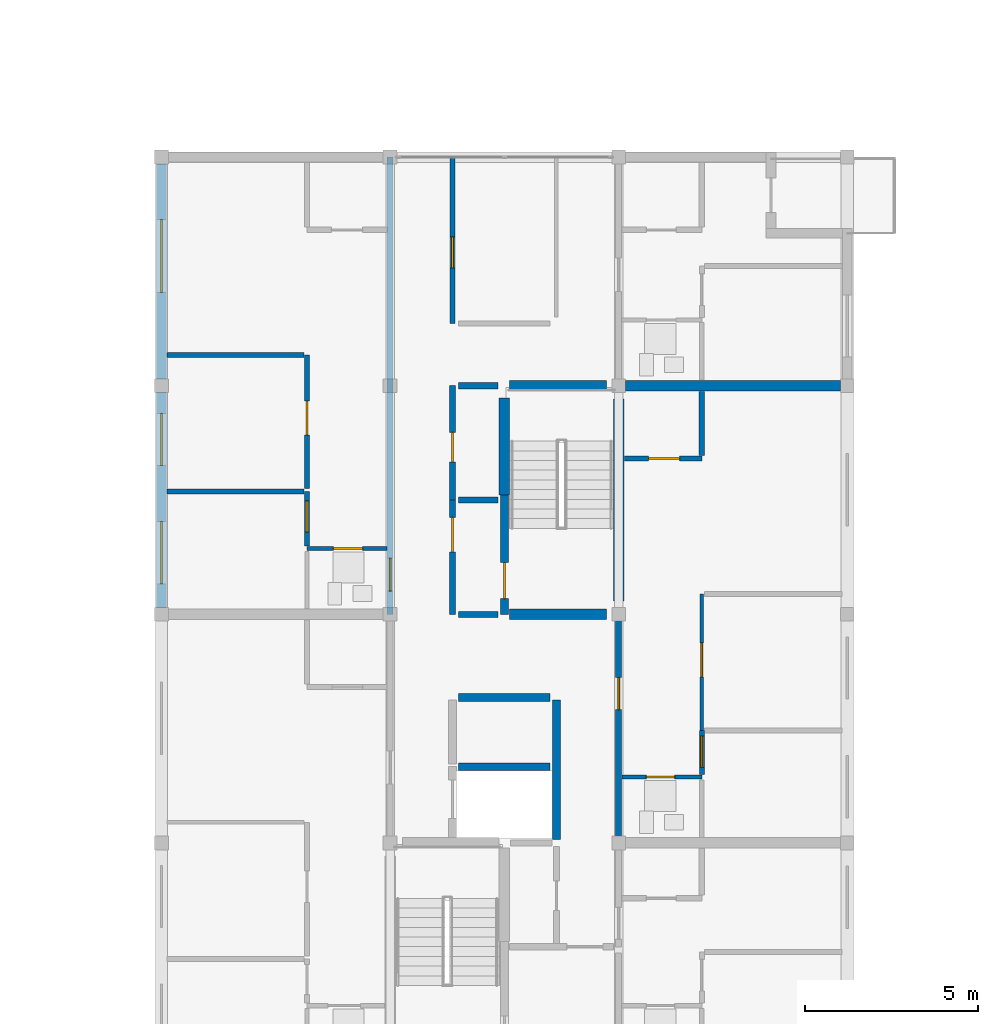
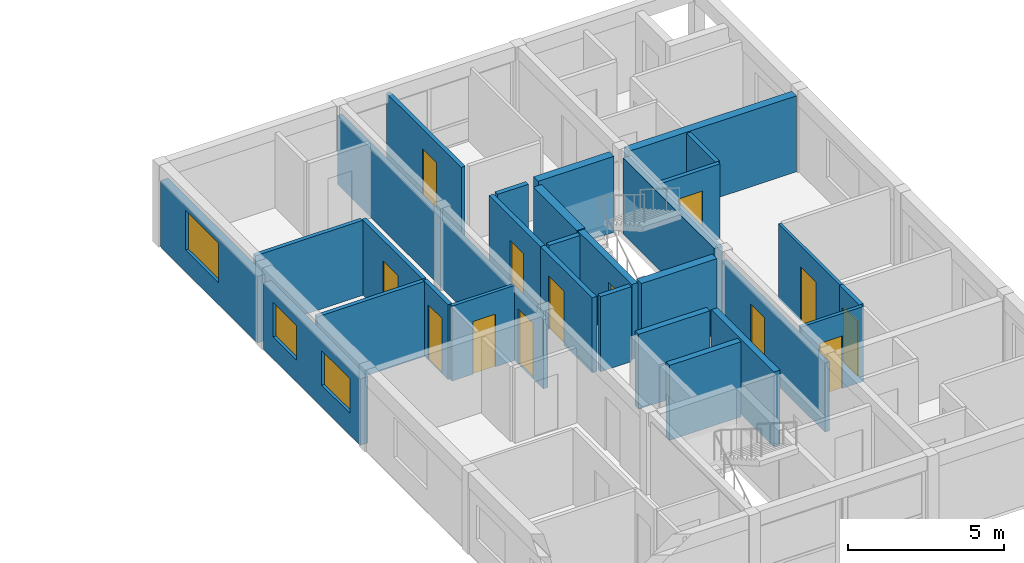
# One storey, part 18 of 34: 29 walls, 13 doors, 3 windows, 16 openings.
"""IFC4 building model written with IfcOpenShell, lengths in metres."""

from ifc_helpers import new_model, si_unit, direction, frame, frame_2d, origin, place, context, subcontext, project, spatial, rectangle, extrude, material, layer, layer_set, type_object, element, fill, save


model = new_model("IFC4")

# Units and contexts
model_context = context("Model", 3, precision=1e-05, world=origin(), true_north=direction((0.0, 1.0)))
body_context = subcontext(model_context, "Body", "Model", "MODEL_VIEW")
ifc_project = project(units=[si_unit("LENGTHUNIT", "METRE"), si_unit("AREAUNIT", "SQUARE_METRE"), si_unit("VOLUMEUNIT", "CUBIC_METRE"), si_unit("PLANEANGLEUNIT", "RADIAN"), si_unit("MASSUNIT", "GRAM", prefix="KILO")], contexts=[model_context])

# Site, building, storey
site_placement = place(None, origin())
site = spatial("IfcSite", under=ifc_project, at=site_placement, CompositionType="ELEMENT")
building_placement = place(site_placement, origin())
building = spatial("IfcBuilding", under=site, at=building_placement, Name="Kernevlak Ridge Housing Community", CompositionType="ELEMENT")
storey_placement = place(building_placement, frame((0.0, 0.0, 34.0)))
storey = spatial("IfcBuildingStorey", under=building, at=storey_placement, Name="L10", CompositionType="ELEMENT", Elevation=34.0)

# Wall, openings, windows
ifc_material_1 = material(Name="Concrete block masonry M10", Category="masonry")
ifc_layer_1 = layer(ifc_material_1, 0.280029296875, Name="Concrete block masonry M10")
ifc_layer_set_1 = layer_set([ifc_layer_1], Name="Concrete block masonry M10")
wall_type_1 = type_object("IfcWallType", Name="EW-03", PredefinedType="STANDARD", material=ifc_layer_set_1)
wall_1_placement = place(storey_placement, frame((126.0, 29.0, 0.0), z_axis=(0.0, 0.0, 1.0), x_axis=(0.0, 1.0, 0.0)))
wall_1 = element("IfcWall", 1, at=wall_1_placement, inside=storey, type_object=wall_type_1, Name="Exterior wall EW-03 L10 672", PredefinedType="STANDARD", context=body_context, shape_type="SweptSolid", body=[
    extrude(rectangle(XDim=6.199951171875, YDim=0.280029296875, at=frame_2d((3.10009765625, 0.0))), origin(), (0.0, 0.0, 1.0), 2.60009765625),
])
opening_1_placement = place(wall_1_placement, frame((0.675048828125, 0.0, 0.85009765625)))
opening_1 = element("IfcOpeningElement", 2, at=opening_1_placement, cuts=wall_1, Name="Opening WT-03", PredefinedType="OPENING", context=body_context, shape_type="SweptSolid", body=[
    extrude(rectangle(XDim=1.800048828125, YDim=1.35009765625, at=frame_2d((0.89990234375, 0.675048828125))), frame((0.0, 0.14990234375, 0.0), z_axis=(0.0, -1.0, 0.0), x_axis=(1.0, 0.0, 0.0)), (0.0, 0.0, 1.0), 0.300048828125),
])
opening_2_placement = place(wall_1_placement, frame((4.10009765625, 0.0, 0.85009765625)))
opening_2 = element("IfcOpeningElement", 3, at=opening_2_placement, cuts=wall_1, Name="Opening WT-02", PredefinedType="OPENING", context=body_context, shape_type="SweptSolid", body=[
    extrude(rectangle(XDim=1.5, YDim=1.35009765625, at=frame_2d((0.75, 0.675048828125))), frame((0.0, 0.14990234375, 0.0), z_axis=(0.0, -1.0, 0.0), x_axis=(1.0, 0.0, 0.0)), (0.0, 0.0, 1.0), 0.300048828125),
])
ifc_material_2 = material(Name="Aluminium EN AW-6060 anodised and laminated glass", Category="aluminium")
window_type_1 = type_object("IfcWindowType", Name="WT-02", PartitioningType="SINGLE_PANEL", PredefinedType="WINDOW", material=ifc_material_2)
window_1_placement = place(opening_2_placement, origin())
window_1 = element("IfcWindow", 4, at=window_1_placement, inside=storey, type_object=window_type_1, Name="Window WT-02 L10 548", OverallHeight=1.35009765625, OverallWidth=1.5, PartitioningType="SINGLE_PANEL", PredefinedType="WINDOW", context=body_context, shape_type="SweptSolid", body=[
    extrude(rectangle(XDim=1.5, YDim=1.35009765625, at=frame_2d((0.75, 0.675048828125))), frame((0.0, 0.030029296875, 0.0), z_axis=(0.0, -1.0, 0.0), x_axis=(1.0, 0.0, 0.0)), (0.0, 0.0, 1.0), 0.06005859375),
])
fill(opening_2, window_1)
window_type_2 = type_object("IfcWindowType", Name="WT-03", PartitioningType="SINGLE_PANEL", PredefinedType="WINDOW", material=ifc_material_2)
window_2_placement = place(opening_1_placement, origin())
window_2 = element("IfcWindow", 5, at=window_2_placement, inside=storey, type_object=window_type_2, Name="Window WT-03 L10 547", OverallHeight=1.35009765625, OverallWidth=1.800048828125, PartitioningType="SINGLE_PANEL", PredefinedType="WINDOW", context=body_context, shape_type="SweptSolid", body=[
    extrude(rectangle(XDim=1.800048828125, YDim=1.35009765625, at=frame_2d((0.89990234375, 0.675048828125))), frame((0.0, 0.030029296875, 0.0), z_axis=(0.0, -1.0, 0.0), x_axis=(1.0, 0.0, 0.0)), (0.0, 0.0, 1.0), 0.06005859375),
])
fill(opening_1, window_2)

# Wall, opening, window
wall_2_placement = place(storey_placement, frame((126.0, 35.60009765625, 0.0), z_axis=(0.0, 0.0, 1.0), x_axis=(0.0, 1.0, 0.0)))
wall_2 = element("IfcWall", 6, at=wall_2_placement, inside=storey, type_object=wall_type_1, Name="Exterior wall EW-03 L10 673", PredefinedType="STANDARD", context=body_context, shape_type="SweptSolid", body=[
    extrude(rectangle(XDim=6.199951171875, YDim=0.280029296875, at=frame_2d((3.10009765625, 0.0))), origin(), (0.0, 0.0, 1.0), 2.60009765625),
])
opening_3_placement = place(wall_2_placement, frame((2.49609375, 0.0, 0.85009765625)))
opening_3 = element("IfcOpeningElement", 7, at=opening_3_placement, cuts=wall_2, Name="Opening WT-05", PredefinedType="OPENING", context=body_context, shape_type="SweptSolid", body=[
    extrude(rectangle(XDim=2.10009765625, YDim=1.550048828125, at=frame_2d((1.050048828125, 0.77490234375))), frame((0.0, 0.14990234375, 0.0), z_axis=(0.0, -1.0, 0.0), x_axis=(1.0, 0.0, 0.0)), (0.0, 0.0, 1.0), 0.300048828125),
])
window_type_3 = type_object("IfcWindowType", Name="WT-05", PartitioningType="SINGLE_PANEL", PredefinedType="WINDOW", material=ifc_material_2)
window_3_placement = place(opening_3_placement, origin())
window_3 = element("IfcWindow", 8, at=window_3_placement, inside=storey, type_object=window_type_3, Name="Window WT-05 L10 549", OverallHeight=1.550048828125, OverallWidth=2.10009765625, PartitioningType="SINGLE_PANEL", PredefinedType="WINDOW", context=body_context, shape_type="SweptSolid", body=[
    extrude(rectangle(XDim=2.10009765625, YDim=1.550048828125, at=frame_2d((1.050048828125, 0.77490234375))), frame((0.0, 0.030029296875, 0.0), z_axis=(0.0, -1.0, 0.0), x_axis=(1.0, 0.0, 0.0)), (0.0, 0.0, 1.0), 0.06005859375),
])
fill(opening_3, window_3)

# Walls
ifc_material_3 = material(Name="Concrete C35/45", Category="concrete")
ifc_layer_2 = layer(ifc_material_3, 0.22509765625, Name="Concrete C35/45")
ifc_layer_set_2 = layer_set([ifc_layer_2], Name="Concrete C35/45")
wall_type_2 = type_object("IfcWallType", Name="PW-01", PredefinedType="STANDARD", material=ifc_layer_set_2)
wall_3_placement = place(storey_placement, frame((137.39990234375, 22.297607421875, 0.0), z_axis=(0.0, 0.0, 1.0), x_axis=(0.0, 1.0, 0.0)))
element("IfcWall", 9, at=wall_3_placement, inside=storey, type_object=wall_type_2, Name="Interior wall PW-01 WAL-INT-L10-2735", PredefinedType="STANDARD", context=body_context, shape_type="SweptSolid", body=[
    extrude(rectangle(XDim=4.0224609375, YDim=0.22509765625, at=frame_2d((2.01123046875, 0.0))), origin(), (0.0, 0.0, 1.0), 2.93505859375),
])
for number, where, z_axis, x_axis, name in (
    (10, (134.580078125, 24.39990234375, 0.0), (0.0, 0.0, 1.0), (1.0, 0.0, 0.0), "Interior wall PW-01 WAL-INT-L10-2737"),
    (11, (134.580078125, 26.39990234375, 0.0), (0.0, 0.0, 1.0), (1.0, 0.0, 0.0), "Interior wall PW-01 WAL-INT-L10-2738"),
):
    element("IfcWall", number, at=place(storey_placement, frame(where, z_axis=z_axis, x_axis=x_axis)), inside=storey, type_object=wall_type_2, Name=name, PredefinedType="STANDARD", context=body_context, shape_type="SweptSolid", body=[
        extrude(rectangle(XDim=2.639892578125, YDim=0.22509765625, at=frame_2d((1.31982421875, 0.0))), origin(), (0.0, 0.0, 1.0), 2.93505859375),
    ])

# Wall, opening, door
wall_4_placement = place(storey_placement, frame((135.89990234375, 28.800048828125, 0.0), z_axis=(0.0, 0.0, 1.0), x_axis=(0.0, 1.0, 0.0)))
wall_4 = element("IfcWall", 12, at=wall_4_placement, inside=storey, type_object=wall_type_2, Name="Interior wall PW-01 WAL-INT-L10-2739", PredefinedType="STANDARD", context=body_context, shape_type="SweptSolid", body=[
    extrude(rectangle(XDim=3.449951171875, YDim=0.22509765625, at=frame_2d((1.72509765625, 0.0))), origin(), (0.0, 0.0, 1.0), 2.93505859375),
])
opening_4_placement = place(wall_4_placement, frame((0.449951171875, 0.0, 0.0)))
opening_4 = element("IfcOpeningElement", 13, at=opening_4_placement, cuts=wall_4, Name="Opening E388", PredefinedType="OPENING", context=body_context, shape_type="SweptSolid", body=[
    extrude(rectangle(XDim=1.0400390625, YDim=2.1201171875, at=frame_2d((0.52001953125, 1.06005859375))), frame((0.0, 0.12255859375, 0.0), z_axis=(0.0, -1.0, 0.0), x_axis=(1.0, 0.0, 0.0)), (0.0, 0.0, 1.0), 0.2451171875),
])
ifc_material_4 = material(Name="Fire-rated sheet steel leaf", Category="steel")
door_type_1 = type_object("IfcDoorType", Name="DT-16", OperationType="NOTDEFINED", PredefinedType="DOOR", material=ifc_material_4)
door_1_placement = place(opening_4_placement, origin())
door_1 = element("IfcDoor", 14, at=door_1_placement, inside=storey, type_object=door_type_1, Name="Block C Stair 2 fire door E388", OperationType="SINGLE_SWING_LEFT", OverallHeight=2.1201171875, OverallWidth=1.0400390625, PredefinedType="DOOR", context=body_context, shape_type="SweptSolid", body=[
    extrude(rectangle(XDim=1.0400390625, YDim=2.1201171875, at=frame_2d((0.52001953125, 1.06005859375))), frame((0.0, 0.02490234375, 0.0), z_axis=(0.0, -1.0, 0.0), x_axis=(1.0, 0.0, 0.0)), (0.0, 0.0, 1.0), 0.050048828125),
])
fill(opening_4, door_1)

ifc_layer_3 = layer(ifc_material_1, 0.175048828125, Name="Concrete block masonry M10")
ifc_layer_set_3 = layer_set([ifc_layer_3], Name="Concrete block masonry M10")
wall_type_3 = type_object("IfcWallType", Name="PW-02", PredefinedType="PARTITIONING", material=ifc_layer_set_3)
wall_5_placement = place(storey_placement, frame((134.39990234375, 28.800048828125, 0.0), z_axis=(0.0, 0.0, 1.0), x_axis=(0.0, 1.0, 0.0)))
wall_5 = element("IfcWall", 15, at=wall_5_placement, inside=storey, type_object=wall_type_3, Name="Interior wall PW-02 WAL-INT-L10-2740", PredefinedType="PARTITIONING", context=body_context, shape_type="SweptSolid", body=[
    extrude(rectangle(XDim=3.300048828125, YDim=0.175048828125, at=frame_2d((1.64990234375, 0.0))), origin(), (0.0, 0.0, 1.0), 2.93505859375),
])
opening_5_placement = place(wall_5_placement, frame((1.800048828125, 0.0, 0.0)))
opening_5 = element("IfcOpeningElement", 16, at=opening_5_placement, cuts=wall_5, Name="Opening E389", PredefinedType="OPENING", context=body_context, shape_type="SweptSolid", body=[
    extrude(rectangle(XDim=1.0, YDim=2.10009765625, at=frame_2d((0.5, 1.050048828125))), frame((0.0, 0.097412109375, 0.0), z_axis=(0.0, -1.0, 0.0), x_axis=(1.0, 0.0, 0.0)), (0.0, 0.0, 1.0), 0.195068359375),
])
door_type_2 = type_object("IfcDoorType", Name="DT-05", OperationType="NOTDEFINED", PredefinedType="DOOR", material=ifc_material_4)
door_2_placement = place(opening_5_placement, origin())
door_2 = element("IfcDoor", 17, at=door_2_placement, inside=storey, type_object=door_type_2, Name="Block C Firefighting lobby 2 door E389", OperationType="SINGLE_SWING_RIGHT", OverallHeight=2.10009765625, OverallWidth=1.0, PredefinedType="DOOR", context=body_context, shape_type="SweptSolid", body=[
    extrude(rectangle(XDim=1.0, YDim=2.10009765625, at=frame_2d((0.5, 1.050048828125))), frame((0.0, 0.02490234375, 0.0), z_axis=(0.0, -1.0, 0.0), x_axis=(1.0, 0.0, 0.0)), (0.0, 0.0, 1.0), 0.050048828125),
])
fill(opening_5, door_2)

wall_6_placement = place(storey_placement, frame((134.39990234375, 32.10009765625, 0.0), z_axis=(0.0, 0.0, 1.0), x_axis=(0.0, 1.0, 0.0)))
wall_6 = element("IfcWall", 18, at=wall_6_placement, inside=storey, type_object=wall_type_3, Name="Interior wall PW-02 WAL-INT-L10-2741", PredefinedType="PARTITIONING", context=body_context, shape_type="SweptSolid", body=[
    extrude(rectangle(XDim=3.2998046875, YDim=0.175048828125, at=frame_2d((1.64990234375, 0.0))), origin(), (0.0, 0.0, 1.0), 2.93505859375),
])
opening_6_placement = place(wall_6_placement, frame((1.10009765625, 0.0, 0.0)))
opening_6 = element("IfcOpeningElement", 19, at=opening_6_placement, cuts=wall_6, Name="Opening E390", PredefinedType="OPENING", context=body_context, shape_type="SweptSolid", body=[
    extrude(rectangle(XDim=0.85009765625, YDim=2.0, at=frame_2d((0.425048828125, 1.0))), frame((0.0, 0.097412109375, 0.0), z_axis=(0.0, -1.0, 0.0), x_axis=(1.0, 0.0, 0.0)), (0.0, 0.0, 1.0), 0.195068359375),
])
door_type_3 = type_object("IfcDoorType", Name="DT-07", OperationType="NOTDEFINED", PredefinedType="DOOR", material=ifc_material_4)
door_3_placement = place(opening_6_placement, origin())
door_3 = element("IfcDoor", 20, at=door_3_placement, inside=storey, type_object=door_type_3, Name="Block C Cleaner store door E390", OperationType="SINGLE_SWING_LEFT", OverallHeight=2.0, OverallWidth=0.85009765625, PredefinedType="DOOR", context=body_context, shape_type="SweptSolid", body=[
    extrude(rectangle(XDim=0.85009765625, YDim=2.0, at=frame_2d((0.425048828125, 1.0))), frame((0.0, 0.02490234375, 0.0), z_axis=(0.0, -1.0, 0.0), x_axis=(1.0, 0.0, 0.0)), (0.0, 0.0, 1.0), 0.050048828125),
])
fill(opening_6, door_3)

# Walls
for number, where, z_axis, x_axis, name in (
    (21, (134.580078125, 28.800048828125, 0.0), (0.0, 0.0, 1.0), (1.0, 0.0, 0.0), "Interior wall PW-02 WAL-INT-L10-2742"),
    (22, (134.580078125, 32.10009765625, 0.0), (0.0, 0.0, 1.0), (1.0, 0.0, 0.0), "Interior wall PW-02 WAL-INT-L10-2743"),
    (23, (134.580078125, 35.39990234375, 0.0), (0.0, 0.0, 1.0), (1.0, 0.0, 0.0), "Interior wall PW-02 WAL-INT-L10-2744"),
):
    element("IfcWall", number, at=place(storey_placement, frame(where, z_axis=z_axis, x_axis=x_axis)), inside=storey, type_object=wall_type_3, Name=name, PredefinedType="PARTITIONING", context=body_context, shape_type="SweptSolid", body=[
        extrude(rectangle(XDim=1.139892578125, YDim=0.175048828125, at=frame_2d((0.56982421875, 0.0))), origin(), (0.0, 0.0, 1.0), 2.93505859375),
    ])

# Wall, opening, door
wall_7_placement = place(storey_placement, frame((132.60009765625, 28.800048828125, 0.0), z_axis=(0.0, 0.0, 1.0), x_axis=(0.0, 1.0, 0.0)))
wall_7 = element("IfcWall", 24, at=wall_7_placement, inside=storey, type_object=wall_type_3, Name="Interior wall PW-02 WAL-INT-L10-2757", PredefinedType="PARTITIONING", context=body_context, shape_type="SweptSolid", body=[
    extrude(rectangle(XDim=13.199951171875, YDim=0.175048828125, at=frame_2d((6.60009765625, 0.0))), origin(), (0.0, 0.0, 1.0), 2.699951171875),
])
opening_7_placement = place(wall_7_placement, frame((0.669921875, 0.0, 0.0)))
opening_7 = element("IfcOpeningElement", 25, at=opening_7_placement, cuts=wall_7, Name="Opening E397", PredefinedType="OPENING", context=body_context, shape_type="SweptSolid", body=[
    extrude(rectangle(XDim=0.949951171875, YDim=2.159912109375, at=frame_2d((0.47509765625, 1.080078125))), frame((0.0, 0.097412109375, 0.0), z_axis=(0.0, -1.0, 0.0), x_axis=(1.0, 0.0, 0.0)), (0.0, 0.0, 1.0), 0.195068359375),
])
ifc_material_5 = material(Name="Hardwood timber solid-core fire leaf", Category="wood")
door_type_4 = type_object("IfcDoorType", Name="DT-02", OperationType="NOTDEFINED", PredefinedType="DOOR", material=ifc_material_5)
door_4_placement = place(opening_7_placement, origin())
door_4 = element("IfcDoor", 26, at=door_4_placement, inside=storey, type_object=door_type_4, Name="Flat C1012 entrance fire door E397", OperationType="SINGLE_SWING_RIGHT", OverallHeight=2.159912109375, OverallWidth=0.949951171875, PredefinedType="DOOR", context=body_context, shape_type="SweptSolid", body=[
    extrude(rectangle(XDim=0.949951171875, YDim=2.159912109375, at=frame_2d((0.47509765625, 1.080078125))), frame((0.0, 0.02490234375, 0.0), z_axis=(0.0, -1.0, 0.0), x_axis=(1.0, 0.0, 0.0)), (0.0, 0.0, 1.0), 0.050048828125),
])
fill(opening_7, door_4)

wall_8_placement = place(storey_placement, frame((139.199951171875, 22.199951171875, 0.0), z_axis=(0.0, 0.0, 1.0), x_axis=(0.0, 1.0, 0.0)))
wall_8 = element("IfcWall", 27, at=wall_8_placement, inside=storey, type_object=wall_type_3, Name="Interior wall PW-02 WAL-INT-L10-2774", PredefinedType="PARTITIONING", context=body_context, shape_type="SweptSolid", body=[
    extrude(rectangle(XDim=6.60009765625, YDim=0.175048828125, at=frame_2d((3.300048828125, 0.0))), origin(), (0.0, 0.0, 1.0), 2.699951171875),
])
opening_8_placement = place(wall_8_placement, frame((3.85009765625, 0.0, 0.0)))
opening_8 = element("IfcOpeningElement", 28, at=opening_8_placement, cuts=wall_8, Name="Opening E406", PredefinedType="OPENING", context=body_context, shape_type="SweptSolid", body=[
    extrude(rectangle(XDim=0.919921875, YDim=2.139892578125, at=frame_2d((0.4599609375, 1.06982421875))), frame((0.0, 0.097412109375, 0.0), z_axis=(0.0, -1.0, 0.0), x_axis=(1.0, 0.0, 0.0)), (0.0, 0.0, 1.0), 0.195068359375),
])
door_type_5 = type_object("IfcDoorType", Name="DT-20", OperationType="NOTDEFINED", PredefinedType="DOOR", material=ifc_material_5)
door_5_placement = place(opening_8_placement, origin())
door_5 = element("IfcDoor", 29, at=door_5_placement, inside=storey, type_object=door_type_5, Name="Flat C1022 entrance fire door E406", OperationType="SINGLE_SWING_LEFT", OverallHeight=2.139892578125, OverallWidth=0.919921875, PredefinedType="DOOR", context=body_context, shape_type="SweptSolid", body=[
    extrude(rectangle(XDim=0.919921875, YDim=2.139892578125, at=frame_2d((0.4599609375, 1.06982421875))), frame((0.0, 0.02490234375, 0.0), z_axis=(0.0, -1.0, 0.0), x_axis=(1.0, 0.0, 0.0)), (0.0, 0.0, 1.0), 0.050048828125),
])
fill(opening_8, door_5)

ifc_layer_4 = layer(ifc_material_1, 0.14501953125, Name="Concrete block masonry M10")
ifc_layer_set_4 = layer_set([ifc_layer_4], Name="Concrete block masonry M10")
wall_type_4 = type_object("IfcWallType", Name="PW-03", PredefinedType="PARTITIONING", material=ifc_layer_set_4)
wall_9_placement = place(storey_placement, frame((134.39990234375, 37.199951171875, 0.0), z_axis=(0.0, 0.0, 1.0), x_axis=(0.0, 1.0, 0.0)))
wall_9 = element("IfcWall", 30, at=wall_9_placement, inside=storey, type_object=wall_type_4, Name="Interior wall PW-03 WAL-INT-L10-2745", PredefinedType="PARTITIONING", context=body_context, shape_type="SweptSolid", body=[
    extrude(rectangle(XDim=4.800048828125, YDim=0.14501953125, at=frame_2d((2.39990234375, 0.0))), origin(), (0.0, 0.0, 1.0), 2.93505859375),
])
opening_9_placement = place(wall_9_placement, frame((1.60009765625, 0.0, 0.0)))
opening_9 = element("IfcOpeningElement", 31, at=opening_9_placement, cuts=wall_9, Name="Opening E391", PredefinedType="OPENING", context=body_context, shape_type="SweptSolid", body=[
    extrude(rectangle(XDim=0.89990234375, YDim=2.159912109375, at=frame_2d((0.449951171875, 1.080078125))), frame((0.0, 0.08251953125, 0.0), z_axis=(0.0, -1.0, 0.0), x_axis=(1.0, 0.0, 0.0)), (0.0, 0.0, 1.0), 0.1650390625),
])
ifc_material_6 = material(Name="Hardwood timber leaf", Category="wood")
door_type_6 = type_object("IfcDoorType", Name="DT-22", OperationType="NOTDEFINED", PredefinedType="DOOR", material=ifc_material_6)
door_6_placement = place(opening_9_placement, origin())
door_6 = element("IfcDoor", 32, at=door_6_placement, inside=storey, type_object=door_type_6, Name="Block C Laundry room door E391", OperationType="SINGLE_SWING_RIGHT", OverallHeight=2.159912109375, OverallWidth=0.89990234375, PredefinedType="DOOR", context=body_context, shape_type="SweptSolid", body=[
    extrude(rectangle(XDim=0.89990234375, YDim=2.159912109375, at=frame_2d((0.449951171875, 1.080078125))), frame((0.0, 0.02490234375, 0.0), z_axis=(0.0, -1.0, 0.0), x_axis=(1.0, 0.0, 0.0)), (0.0, 0.0, 1.0), 0.050048828125),
])
fill(opening_9, door_6)

wall_10_placement = place(storey_placement, frame((130.199951171875, 30.7724609375, 0.0), z_axis=(0.0, 0.0, 1.0), x_axis=(0.0, 1.0, 0.0)))
wall_10 = element("IfcWall", 33, at=wall_10_placement, inside=storey, type_object=wall_type_4, Name="Interior wall PW-03 WAL-INT-L10-2762", PredefinedType="PARTITIONING", context=body_context, shape_type="SweptSolid", body=[
    extrude(rectangle(XDim=1.57763671875, YDim=0.14501953125, at=frame_2d((0.788818359375, 0.0))), origin(), (0.0, 0.0, 1.0), 2.93505859375),
])
opening_10_placement = place(wall_10_placement, frame((0.39990234375, 0.0, 0.0)))
opening_10 = element("IfcOpeningElement", 34, at=opening_10_placement, cuts=wall_10, Name="Opening E400", PredefinedType="OPENING", context=body_context, shape_type="SweptSolid", body=[
    extrude(rectangle(XDim=0.89990234375, YDim=2.159912109375, at=frame_2d((0.449951171875, 1.080078125))), frame((0.0, 0.08251953125, 0.0), z_axis=(0.0, -1.0, 0.0), x_axis=(1.0, 0.0, 0.0)), (0.0, 0.0, 1.0), 0.1650390625),
])
door_7_placement = place(opening_10_placement, origin())
door_7 = element("IfcDoor", 35, at=door_7_placement, inside=storey, type_object=door_type_6, Name="Flat C1012 bedroom door E400", OperationType="SINGLE_SWING_LEFT", OverallHeight=2.159912109375, OverallWidth=0.89990234375, PredefinedType="DOOR", context=body_context, shape_type="SweptSolid", body=[
    extrude(rectangle(XDim=0.89990234375, YDim=2.159912109375, at=frame_2d((0.449951171875, 1.080078125))), frame((0.0, 0.02490234375, 0.0), z_axis=(0.0, -1.0, 0.0), x_axis=(1.0, 0.0, 0.0)), (0.0, 0.0, 1.0), 0.050048828125),
])
fill(opening_10, door_7)

# Wall
wall_11_placement = place(storey_placement, frame((130.117431640625, 32.35009765625, 0.0), z_axis=(0.0, 0.0, 1.0), x_axis=(-1.0, 0.0, 0.0)))
element("IfcWall", 36, at=wall_11_placement, inside=storey, type_object=wall_type_4, Name="Interior wall PW-03 WAL-INT-L10-2763", PredefinedType="PARTITIONING", context=body_context, shape_type="SweptSolid", body=[
    extrude(rectangle(XDim=3.967529296875, YDim=0.14501953125, at=frame_2d((1.98388671875, 0.0))), origin(), (0.0, 0.0, 1.0), 2.93505859375),
])

# Wall, opening, door
wall_12_placement = place(storey_placement, frame((130.199951171875, 32.4326171875, 0.0), z_axis=(0.0, 0.0, 1.0), x_axis=(0.0, 1.0, 0.0)))
wall_12 = element("IfcWall", 37, at=wall_12_placement, inside=storey, type_object=wall_type_4, Name="Interior wall PW-03 WAL-INT-L10-2764", PredefinedType="PARTITIONING", context=body_context, shape_type="SweptSolid", body=[
    extrude(rectangle(XDim=3.859375, YDim=0.14501953125, at=frame_2d((1.9296875, 0.0))), origin(), (0.0, 0.0, 1.0), 2.93505859375),
])
opening_11_placement = place(wall_12_placement, frame((1.5458984375, 0.0, 0.0)))
opening_11 = element("IfcOpeningElement", 38, at=opening_11_placement, cuts=wall_12, Name="Opening E401", PredefinedType="OPENING", context=body_context, shape_type="SweptSolid", body=[
    extrude(rectangle(XDim=0.97998046875, YDim=2.1201171875, at=frame_2d((0.489990234375, 1.06005859375))), frame((0.0, 0.08251953125, 0.0), z_axis=(0.0, -1.0, 0.0), x_axis=(1.0, 0.0, 0.0)), (0.0, 0.0, 1.0), 0.1650390625),
])
door_type_7 = type_object("IfcDoorType", Name="DT-24", OperationType="NOTDEFINED", PredefinedType="DOOR", material=ifc_material_6)
door_8_placement = place(opening_11_placement, origin())
door_8 = element("IfcDoor", 39, at=door_8_placement, inside=storey, type_object=door_type_7, Name="Flat C1012 bedroom door E401", OperationType="SINGLE_SWING_RIGHT", OverallHeight=2.1201171875, OverallWidth=0.97998046875, PredefinedType="DOOR", context=body_context, shape_type="SweptSolid", body=[
    extrude(rectangle(XDim=0.97998046875, YDim=2.1201171875, at=frame_2d((0.489990234375, 1.06005859375))), frame((0.0, 0.02490234375, 0.0), z_axis=(0.0, -1.0, 0.0), x_axis=(1.0, 0.0, 0.0)), (0.0, 0.0, 1.0), 0.050048828125),
])
fill(opening_11, door_8)

# Wall
wall_13_placement = place(storey_placement, frame((130.117431640625, 36.2919921875, 0.0), z_axis=(0.0, 0.0, 1.0), x_axis=(-1.0, 0.0, 0.0)))
element("IfcWall", 40, at=wall_13_placement, inside=storey, type_object=wall_type_4, Name="Interior wall PW-03 WAL-INT-L10-2765", PredefinedType="PARTITIONING", context=body_context, shape_type="SweptSolid", body=[
    extrude(rectangle(XDim=3.967529296875, YDim=0.14501953125, at=frame_2d((1.98388671875, 0.0))), origin(), (0.0, 0.0, 1.0), 2.93505859375),
])

# Wall, opening, door
wall_14_placement = place(storey_placement, frame((141.60009765625, 24.172607421875, 0.0), z_axis=(0.0, 0.0, 1.0), x_axis=(0.0, 1.0, 0.0)))
wall_14 = element("IfcWall", 41, at=wall_14_placement, inside=storey, type_object=wall_type_4, Name="Interior wall PW-03 WAL-INT-L10-2779", PredefinedType="PARTITIONING", context=body_context, shape_type="SweptSolid", body=[
    extrude(rectangle(XDim=1.27734375, YDim=0.14501953125, at=frame_2d((0.638671875, 0.0))), origin(), (0.0, 0.0, 1.0), 2.93505859375),
])
opening_12_placement = place(wall_14_placement, frame((0.20751953125, 0.0, 0.0)))
opening_12 = element("IfcOpeningElement", 42, at=opening_12_placement, cuts=wall_14, Name="Opening E409", PredefinedType="OPENING", context=body_context, shape_type="SweptSolid", body=[
    extrude(rectangle(XDim=0.89990234375, YDim=2.159912109375, at=frame_2d((0.449951171875, 1.080078125))), frame((0.0, 0.08251953125, 0.0), z_axis=(0.0, -1.0, 0.0), x_axis=(1.0, 0.0, 0.0)), (0.0, 0.0, 1.0), 0.1650390625),
])
door_9_placement = place(opening_12_placement, origin())
door_9 = element("IfcDoor", 43, at=door_9_placement, inside=storey, type_object=door_type_6, Name="Flat C1022 bedroom door E409", OperationType="SINGLE_SWING_RIGHT", OverallHeight=2.159912109375, OverallWidth=0.89990234375, PredefinedType="DOOR", context=body_context, shape_type="SweptSolid", body=[
    extrude(rectangle(XDim=0.89990234375, YDim=2.159912109375, at=frame_2d((0.449951171875, 1.080078125))), frame((0.0, 0.02490234375, 0.0), z_axis=(0.0, -1.0, 0.0), x_axis=(1.0, 0.0, 0.0)), (0.0, 0.0, 1.0), 0.050048828125),
])
fill(opening_12, door_9)

ifc_material_7 = material(Name="Gypsum plasterboard EN 520", Category="gypsum")
ifc_layer_5 = layer(ifc_material_7, 0.125, Name="Gypsum plasterboard EN 520")
ifc_layer_set_5 = layer_set([ifc_layer_5], Name="Gypsum plasterboard EN 520")
wall_type_5 = type_object("IfcWallType", Name="PW-04", PredefinedType="PARTITIONING", material=ifc_layer_set_5)
wall_15_placement = place(storey_placement, frame((132.50244140625, 30.699951171875, 0.0), z_axis=(0.0, 0.0, 1.0), x_axis=(-1.0, 0.0, 0.0)))
wall_15 = element("IfcWall", 44, at=wall_15_placement, inside=storey, type_object=wall_type_5, Name="Interior wall PW-04 WAL-INT-L10-2758", PredefinedType="PARTITIONING", context=body_context, shape_type="SweptSolid", body=[
    extrude(rectangle(XDim=2.302490234375, YDim=0.125, at=frame_2d((1.1513671875, 0.0))), origin(), (0.0, 0.0, 1.0), 2.93505859375),
])
opening_13_placement = place(wall_15_placement, frame((0.699951171875, 0.0, 0.0)))
opening_13 = element("IfcOpeningElement", 45, at=opening_13_placement, cuts=wall_15, Name="Opening E398", PredefinedType="OPENING", context=body_context, shape_type="SweptSolid", body=[
    extrude(rectangle(XDim=0.840087890625, YDim=2.06005859375, at=frame_2d((0.419921875, 1.030029296875))), frame((0.0, 0.072509765625, 0.0), z_axis=(0.0, -1.0, 0.0), x_axis=(1.0, 0.0, 0.0)), (0.0, 0.0, 1.0), 0.14501953125),
])
ifc_material_8 = material(Name="Hardwood timber moisture-resistant leaf", Category="wood")
door_type_8 = type_object("IfcDoorType", Name="DT-27", OperationType="NOTDEFINED", PredefinedType="DOOR", material=ifc_material_8)
door_10_placement = place(opening_13_placement, origin())
door_10 = element("IfcDoor", 46, at=door_10_placement, inside=storey, type_object=door_type_8, Name="Flat C1012 bathroom door E398", OperationType="SINGLE_SWING_LEFT", OverallHeight=2.06005859375, OverallWidth=0.840087890625, PredefinedType="DOOR", context=body_context, shape_type="SweptSolid", body=[
    extrude(rectangle(XDim=0.840087890625, YDim=2.06005859375, at=frame_2d((0.419921875, 1.030029296875))), frame((0.0, 0.02490234375, 0.0), z_axis=(0.0, -1.0, 0.0), x_axis=(1.0, 0.0, 0.0)), (0.0, 0.0, 1.0), 0.050048828125),
])
fill(opening_13, door_10)

wall_16_placement = place(storey_placement, frame((139.297607421875, 24.10009765625, 0.0), z_axis=(0.0, 0.0, 1.0), x_axis=(1.0, 0.0, 0.0)))
wall_16 = element("IfcWall", 47, at=wall_16_placement, inside=storey, type_object=wall_type_5, Name="Interior wall PW-04 WAL-INT-L10-2775", PredefinedType="PARTITIONING", context=body_context, shape_type="SweptSolid", body=[
    extrude(rectangle(XDim=2.302490234375, YDim=0.125, at=frame_2d((1.1513671875, 0.0))), origin(), (0.0, 0.0, 1.0), 2.93505859375),
])
opening_14_placement = place(wall_16_placement, frame((0.699951171875, 0.0, 0.0)))
opening_14 = element("IfcOpeningElement", 48, at=opening_14_placement, cuts=wall_16, Name="Opening E407", PredefinedType="OPENING", context=body_context, shape_type="SweptSolid", body=[
    extrude(rectangle(XDim=0.820068359375, YDim=2.050048828125, at=frame_2d((0.41015625, 1.02490234375))), frame((0.0, 0.072509765625, 0.0), z_axis=(0.0, -1.0, 0.0), x_axis=(1.0, 0.0, 0.0)), (0.0, 0.0, 1.0), 0.14501953125),
])
door_type_9 = type_object("IfcDoorType", Name="DT-30", OperationType="NOTDEFINED", PredefinedType="DOOR", material=ifc_material_8)
door_11_placement = place(opening_14_placement, origin())
door_11 = element("IfcDoor", 49, at=door_11_placement, inside=storey, type_object=door_type_9, Name="Flat C1022 bathroom door E407", OperationType="SINGLE_SWING_RIGHT", OverallHeight=2.050048828125, OverallWidth=0.820068359375, PredefinedType="DOOR", context=body_context, shape_type="SweptSolid", body=[
    extrude(rectangle(XDim=0.820068359375, YDim=2.050048828125, at=frame_2d((0.41015625, 1.02490234375))), frame((0.0, 0.02490234375, 0.0), z_axis=(0.0, -1.0, 0.0), x_axis=(1.0, 0.0, 0.0)), (0.0, 0.0, 1.0), 0.050048828125),
])
fill(opening_14, door_11)

ifc_layer_6 = layer(ifc_material_7, 0.155029296875, Name="Gypsum plasterboard EN 520")
ifc_layer_set_6 = layer_set([ifc_layer_6], Name="Gypsum plasterboard EN 520")
wall_type_6 = type_object("IfcWallType", Name="PW-05", PredefinedType="PARTITIONING", material=ifc_layer_set_6)
wall_17_placement = place(storey_placement, frame((139.360107421875, 33.300048828125, 0.0), z_axis=(0.0, 0.0, 1.0), x_axis=(1.0, 0.0, 0.0)))
wall_17 = element("IfcWall", 50, at=wall_17_placement, inside=storey, type_object=wall_type_6, Name="Interior wall PW-05 WAL-INT-L10-2777", PredefinedType="PARTITIONING", context=body_context, shape_type="SweptSolid", body=[
    extrude(rectangle(XDim=2.239990234375, YDim=0.155029296875, at=frame_2d((1.1201171875, 0.0))), origin(), (0.0, 0.0, 1.0), 2.93505859375),
])
opening_15_placement = place(wall_17_placement, frame((0.699951171875, 0.0, 0.0)))
opening_15 = element("IfcOpeningElement", 51, at=opening_15_placement, cuts=wall_17, Name="Opening E408", PredefinedType="OPENING", context=body_context, shape_type="SweptSolid", body=[
    extrude(rectangle(XDim=0.89990234375, YDim=2.10009765625, at=frame_2d((0.449951171875, 1.050048828125))), frame((0.0, 0.08740234375, 0.0), z_axis=(0.0, -1.0, 0.0), x_axis=(1.0, 0.0, 0.0)), (0.0, 0.0, 1.0), 0.175048828125),
])
door_type_10 = type_object("IfcDoorType", Name="DT-21", OperationType="NOTDEFINED", PredefinedType="DOOR", material=ifc_material_6)
door_12_placement = place(opening_15_placement, origin())
door_12 = element("IfcDoor", 52, at=door_12_placement, inside=storey, type_object=door_type_10, Name="Flat C1022 kitchen door E408", OperationType="SINGLE_SWING_LEFT", OverallHeight=2.10009765625, OverallWidth=0.89990234375, PredefinedType="DOOR", context=body_context, shape_type="SweptSolid", body=[
    extrude(rectangle(XDim=0.89990234375, YDim=2.10009765625, at=frame_2d((0.449951171875, 1.050048828125))), frame((0.0, 0.02490234375, 0.0), z_axis=(0.0, -1.0, 0.0), x_axis=(1.0, 0.0, 0.0)), (0.0, 0.0, 1.0), 0.050048828125),
])
fill(opening_15, door_12)

# Wall
wall_18_placement = place(storey_placement, frame((141.60009765625, 33.387451171875, 0.0), z_axis=(0.0, 0.0, 1.0), x_axis=(0.0, 1.0, 0.0)))
element("IfcWall", 53, at=wall_18_placement, inside=storey, type_object=wall_type_6, Name="Interior wall PW-05 WAL-INT-L10-2778", PredefinedType="PARTITIONING", context=body_context, shape_type="SweptSolid", body=[
    extrude(rectangle(XDim=1.8525390625, YDim=0.155029296875, at=frame_2d((0.92626953125, 0.0))), origin(), (0.0, 0.0, 1.0), 2.93505859375),
])

# Wall, opening, door
ifc_layer_7 = layer(ifc_material_7, 0.10498046875, Name="Gypsum plasterboard EN 520")
ifc_layer_set_7 = layer_set([ifc_layer_7], Name="Gypsum plasterboard EN 520")
wall_type_7 = type_object("IfcWallType", Name="PW-06", PredefinedType="PARTITIONING", material=ifc_layer_set_7)
wall_19_placement = place(storey_placement, frame((141.60009765625, 25.449951171875, 0.0), z_axis=(0.0, 0.0, 1.0), x_axis=(0.0, 1.0, 0.0)))
wall_19 = element("IfcWall", 54, at=wall_19_placement, inside=storey, type_object=wall_type_7, Name="Interior wall PW-06 WAL-INT-L10-2781", PredefinedType="PARTITIONING", context=body_context, shape_type="SweptSolid", body=[
    extrude(rectangle(XDim=3.942138671875, YDim=0.10498046875, at=frame_2d((1.97119140625, 0.0))), origin(), (0.0, 0.0, 1.0), 2.93505859375),
])
opening_16_placement = place(wall_19_placement, frame((1.5458984375, 0.0, 0.0)))
opening_16 = element("IfcOpeningElement", 55, at=opening_16_placement, cuts=wall_19, Name="Opening E410", PredefinedType="OPENING", context=body_context, shape_type="SweptSolid", body=[
    extrude(rectangle(XDim=0.97998046875, YDim=2.1201171875, at=frame_2d((0.489990234375, 1.06005859375))), frame((0.0, 0.0625, 0.0), z_axis=(0.0, -1.0, 0.0), x_axis=(1.0, 0.0, 0.0)), (0.0, 0.0, 1.0), 0.125),
])
door_13_placement = place(opening_16_placement, origin())
door_13 = element("IfcDoor", 56, at=door_13_placement, inside=storey, type_object=door_type_7, Name="Flat C1022 bedroom door E410", OperationType="SINGLE_SWING_LEFT", OverallHeight=2.1201171875, OverallWidth=0.97998046875, PredefinedType="DOOR", context=body_context, shape_type="SweptSolid", body=[
    extrude(rectangle(XDim=0.97998046875, YDim=2.1201171875, at=frame_2d((0.489990234375, 1.06005859375))), frame((0.0, 0.02490234375, 0.0), z_axis=(0.0, -1.0, 0.0), x_axis=(1.0, 0.0, 0.0)), (0.0, 0.0, 1.0), 0.050048828125),
])
fill(opening_16, door_13)

# Walls
ifc_material_9 = material(Name="Concrete C40/50", Category="concrete")
ifc_layer_8 = layer(ifc_material_9, 0.300048828125, Name="Concrete C40/50")
ifc_layer_set_8 = layer_set([ifc_layer_8], Name="Concrete C40/50")
wall_type_8 = type_object("IfcWallType", Name="SW-02", PredefinedType="SHEAR", material=ifc_layer_set_8)
wall_20_placement = place(storey_placement, frame((139.199951171875, 29.179931640625, 0.0), z_axis=(0.0, 0.0, 1.0), x_axis=(0.0, 1.0, 0.0)))
element("IfcWall", 57, at=wall_20_placement, inside=storey, type_object=wall_type_8, Name="Shear wall SW-02 Block C L10 474", PredefinedType="SHEAR", context=body_context, shape_type="SweptSolid", body=[
    extrude(rectangle(XDim=5.840087890625, YDim=0.300048828125, at=frame_2d((2.919921875, 0.0))), origin(), (0.0, 0.0, 1.0), 2.969970703125),
])
for number, where, z_axis, x_axis, name in (
    (58, (135.89990234375, 32.25, 0.0), (0.0, 0.0, 1.0), (0.0, 1.0, 0.0), "Shear wall SW-02 Block C L10 475"),
    (59, (136.050048828125, 28.800048828125, 0.0), (0.0, 0.0, 1.0), (1.0, 0.0, 0.0), "Shear wall SW-02 Block C L10 476"),
    (60, (136.050048828125, 35.39990234375, 0.0), (0.0, 0.0, 1.0), (1.0, 0.0, 0.0), "Shear wall SW-02 Block C L10 477"),
):
    element("IfcWall", number, at=place(storey_placement, frame(where, z_axis=z_axis, x_axis=x_axis)), inside=storey, type_object=wall_type_8, Name=name, PredefinedType="SHEAR", context=body_context, shape_type="SweptSolid", body=[
        extrude(rectangle(XDim=2.800048828125, YDim=0.300048828125, at=frame_2d((1.39990234375, 0.0))), origin(), (0.0, 0.0, 1.0), 2.969970703125),
    ])
wall_21_placement = place(storey_placement, frame((139.39990234375, 35.39990234375, 0.0), z_axis=(0.0, 0.0, 1.0), x_axis=(1.0, 0.0, 0.0)))
element("IfcWall", 61, at=wall_21_placement, inside=storey, type_object=wall_type_8, Name="Shear wall SW-02 Block C L10 480", PredefinedType="SHEAR", context=body_context, shape_type="SweptSolid", body=[
    extrude(rectangle(XDim=6.2001953125, YDim=0.300048828125, at=frame_2d((3.10009765625, 0.0))), origin(), (0.0, 0.0, 1.0), 2.969970703125),
])

save(model, "model.ifc")
